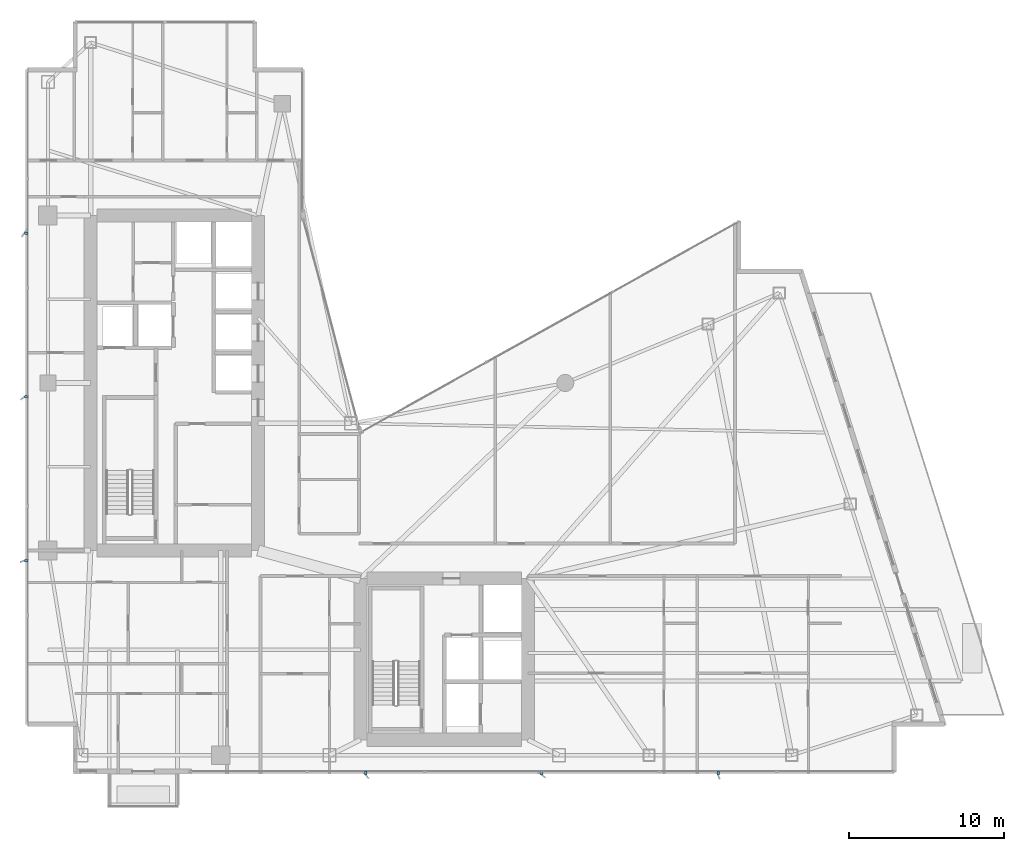
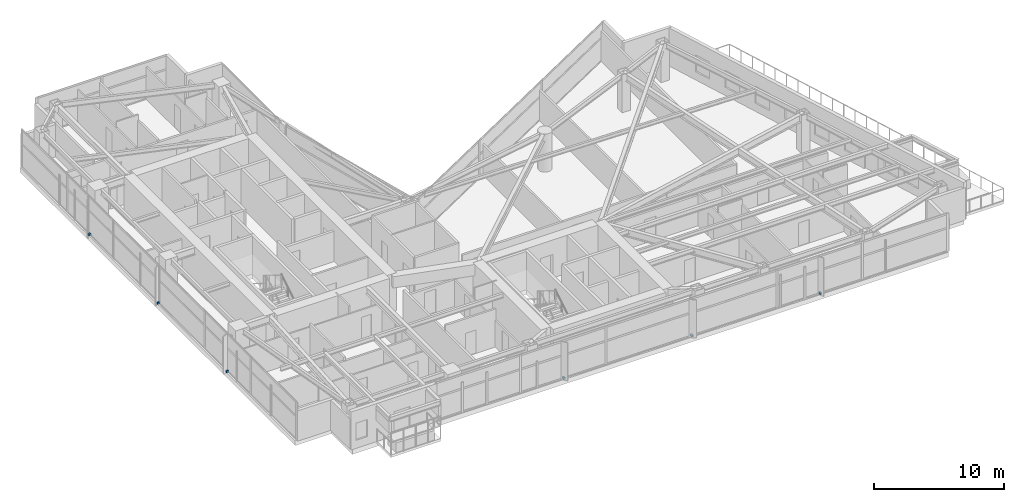
# One storey, part 26 of 28: 6 discrete accessories.
"""IFC4 building model written with IfcOpenShell, lengths in metres."""

from ifc_helpers import new_model, si_unit, direction, frame, origin, origin_2d, place, context, subcontext, project, spatial, rectangle, extrude, material, type_object, element, save


model = new_model("IFC4")

# Units and contexts
model_context = context("Model", 3, precision=1e-05, world=origin(), true_north=direction((0.0, 1.0)))
body_context = subcontext(model_context, "Body", "Model", "MODEL_VIEW")
ifc_project = project(units=[si_unit("LENGTHUNIT", "METRE"), si_unit("AREAUNIT", "SQUARE_METRE"), si_unit("VOLUMEUNIT", "CUBIC_METRE"), si_unit("PLANEANGLEUNIT", "RADIAN"), si_unit("MASSUNIT", "GRAM", prefix="KILO")], contexts=[model_context])

# Site, building, storey
site_placement = place(None, origin())
site = spatial("IfcSite", under=ifc_project, at=site_placement, CompositionType="ELEMENT")
building_placement = place(site_placement, origin())
building = spatial("IfcBuilding", under=site, at=building_placement, Name="Calvorn Quay Hotel", CompositionType="ELEMENT")
storey_placement = place(building_placement, frame((0.0, 0.0, 97.39990234375)))
storey = spatial("IfcBuildingStorey", under=building, at=storey_placement, Name="L23", CompositionType="ELEMENT", Elevation=97.39990234375)

# Discrete accessories
ifc_material = material(Name="Steel Q355B", Category="steel")
discrete_accessory_type = type_object("IfcDiscreteAccessoryType", Name="ACC-FIN-BRACKET", PredefinedType="BRACKET", material=ifc_material)
for number, where, z_axis, x_axis, name in (
    (1, (0.06005859375, 16.14990234375, 0.0302734375), (0.0, 0.0, 1.0), (1.0, 0.0, 0.0), "Fin Anchor Bracket L23-W01"),
    (2, (0.06005859375, 26.699951171875, 0.0302734375), (0.0, 0.0, 1.0), (1.0, 0.0, 0.0), "Fin Anchor Bracket L23-W02"),
    (3, (0.06005859375, 37.25, 0.0302734375), (0.0, 0.0, 1.0), (1.0, 0.0, 0.0), "Fin Anchor Bracket L23-W03"),
    (4, (21.949951171875, 2.4599609375, 0.0302734375), (0.0, 0.0, 1.0), (0.0, 1.0, 0.0), "Fin Anchor Bracket L23-S01"),
    (5, (33.300048828125, 2.4599609375, 0.0302734375), (0.0, 0.0, 1.0), (0.0, 1.0, 0.0), "Fin Anchor Bracket L23-S02"),
    (6, (44.64990234375, 2.4599609375, 0.0302734375), (0.0, 0.0, 1.0), (0.0, 1.0, 0.0), "Fin Anchor Bracket L23-S03"),
):
    element("IfcDiscreteAccessory", number, at=place(storey_placement, frame(where, z_axis=z_axis, x_axis=x_axis)), inside=storey, type_object=discrete_accessory_type, Name=name, PredefinedType="BRACKET", context=body_context, shape_type="SweptSolid", body=[
        extrude(rectangle(XDim=0.239990234375, YDim=0.159912109375, at=origin_2d()), origin(), (0.0, 0.0, 1.0), 0.179931640625),
    ])

save(model, "model.ifc")
